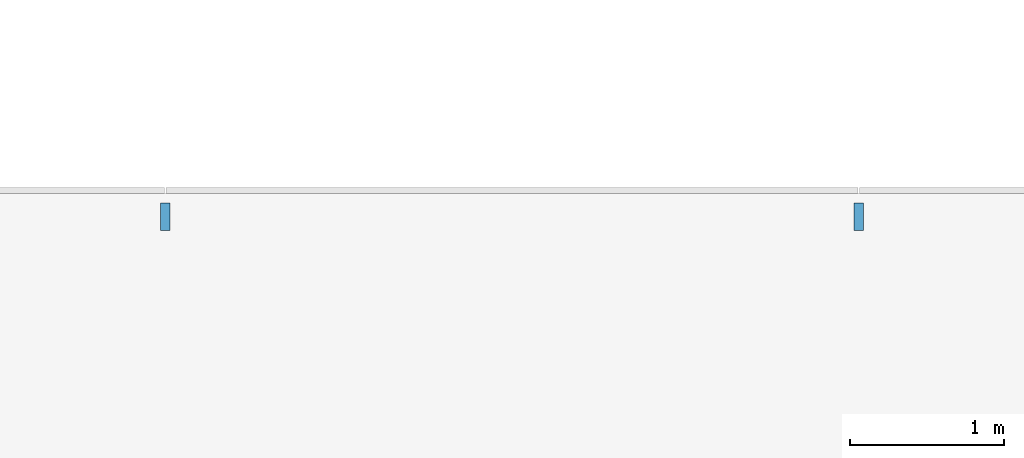
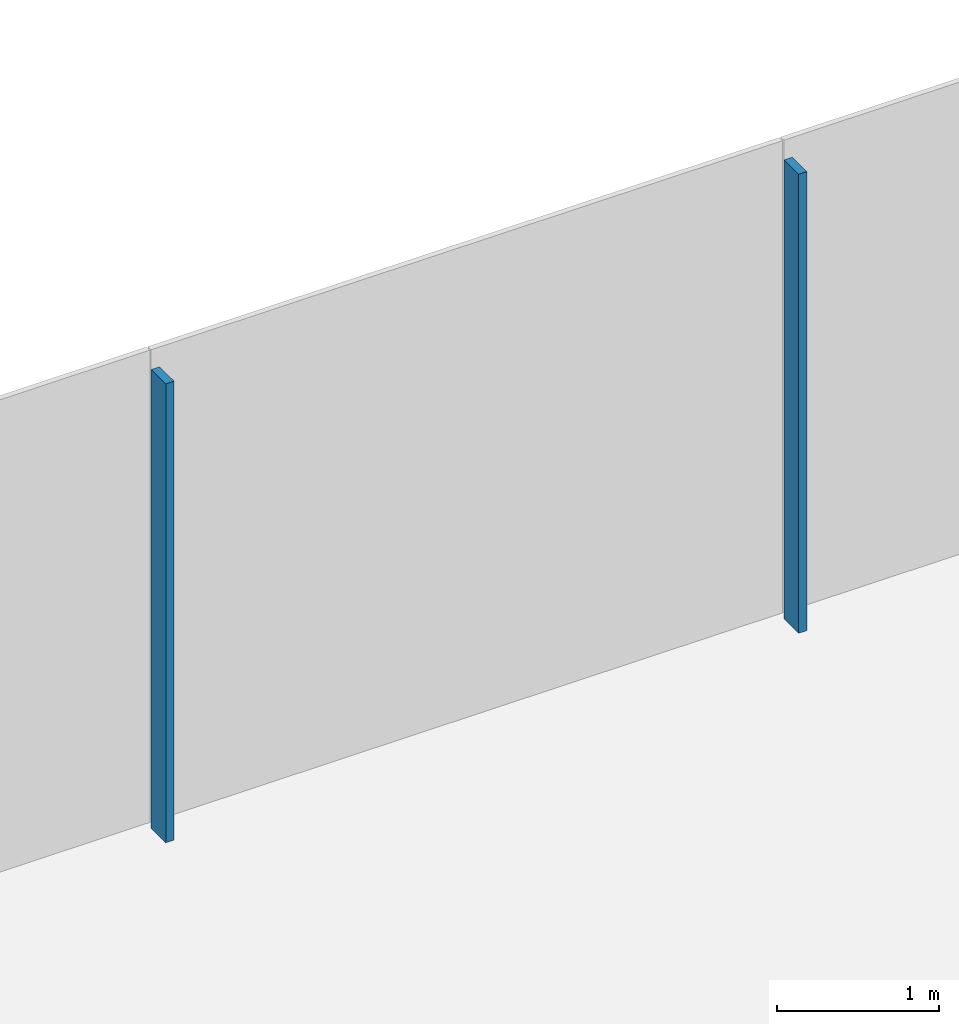
# One storey, part 5 of 20: 2 members, 1 element without a shape of its own.
"""IFC4 building model written with IfcOpenShell, lengths in metres."""

from ifc_helpers import new_model, si_unit, direction, frame, origin, origin_2d, place, context, subcontext, project, spatial, rectangle, extrude, material, layer, layer_set, material_profile, profile_set, type_object, element, aggregate, save


model = new_model("IFC4")

# Units and contexts
model_context = context("Model", 3, precision=1e-05, world=origin(), true_north=direction((0.0, 1.0)))
body_context = subcontext(model_context, "Body", "Model", "MODEL_VIEW")
ifc_project = project(units=[si_unit("LENGTHUNIT", "METRE"), si_unit("AREAUNIT", "SQUARE_METRE"), si_unit("VOLUMEUNIT", "CUBIC_METRE"), si_unit("PLANEANGLEUNIT", "RADIAN"), si_unit("MASSUNIT", "GRAM", prefix="KILO")], contexts=[model_context])

# Site, building, storey
site_placement = place(None, origin())
site = spatial("IfcSite", under=ifc_project, at=site_placement, CompositionType="ELEMENT")
building_placement = place(site_placement, origin())
building = spatial("IfcBuilding", under=site, at=building_placement, Name="Shamsa Quay Exchange Towers", CompositionType="ELEMENT")
storey_placement = place(building_placement, frame((0.0, 0.0, 105.300048828125)))
storey = spatial("IfcBuildingStorey", under=building, at=storey_placement, Name="L24", CompositionType="ELEMENT", Elevation=105.300048828125)

# Curtain wall, members
ifc_material = material(Name="Aluminium EN AW-6063 T6, black anodised", Category="aluminium")
ifc_layer = layer(ifc_material, 0.280029296875)
ifc_layer_set = layer_set([ifc_layer], Name="CW-1 UNITISED VISION GLASS")
curtain_wall_type = type_object("IfcCurtainWallType", Name="CW-1 UNITISED VISION GLASS", PredefinedType="NOTDEFINED", material=ifc_layer_set)
curtain_wall_placement = place(storey_placement, origin())
curtain_wall = element("IfcCurtainWall", 1, at=curtain_wall_placement, inside=storey, type_object=curtain_wall_type, Name="CW1 T1-END-V+ L24", PredefinedType="NOTDEFINED")
ifc_material_profile = material_profile(ifc_material, rectangle(XDim=0.179931640625, YDim=0.06005859375, at=origin_2d()), Name="MU60x180")
ifc_profile_set = profile_set([ifc_material_profile], Name="Aluminium EN AW-6063 T6, black anodised")
member_type = type_object("IfcMemberType", Name="CW1 MULLION 60x180", PredefinedType="MULLION", material=ifc_profile_set)
member_1_placement = place(storey_placement, frame((-31.5, 20.10009765625, 0.0), z_axis=(0.0, 0.0, 1.0), x_axis=(0.0, -1.0, 0.0)))
member_1 = element("IfcMember", 2, at=member_1_placement, type_object=member_type, Name="CW1 mullion", PredefinedType="MULLION", context=body_context, shape_type="SweptSolid", body=[
    extrude(rectangle(XDim=0.179931640625, YDim=0.06005859375, at=origin_2d()), origin(), (0.0, 0.0, 1.0), 3.449951171875),
])
member_2_placement = place(storey_placement, frame((-36.0, 20.10009765625, 0.0), z_axis=(0.0, 0.0, 1.0), x_axis=(0.0, -1.0, 0.0)))
member_2 = element("IfcMember", 3, at=member_2_placement, type_object=member_type, Name="CW1 mullion", PredefinedType="MULLION", context=body_context, shape_type="SweptSolid", body=[
    extrude(rectangle(XDim=0.179931640625, YDim=0.06005859375, at=origin_2d()), origin(), (0.0, 0.0, 1.0), 3.449951171875),
])
aggregate(curtain_wall, [member_1, member_2])

save(model, "model.ifc")
